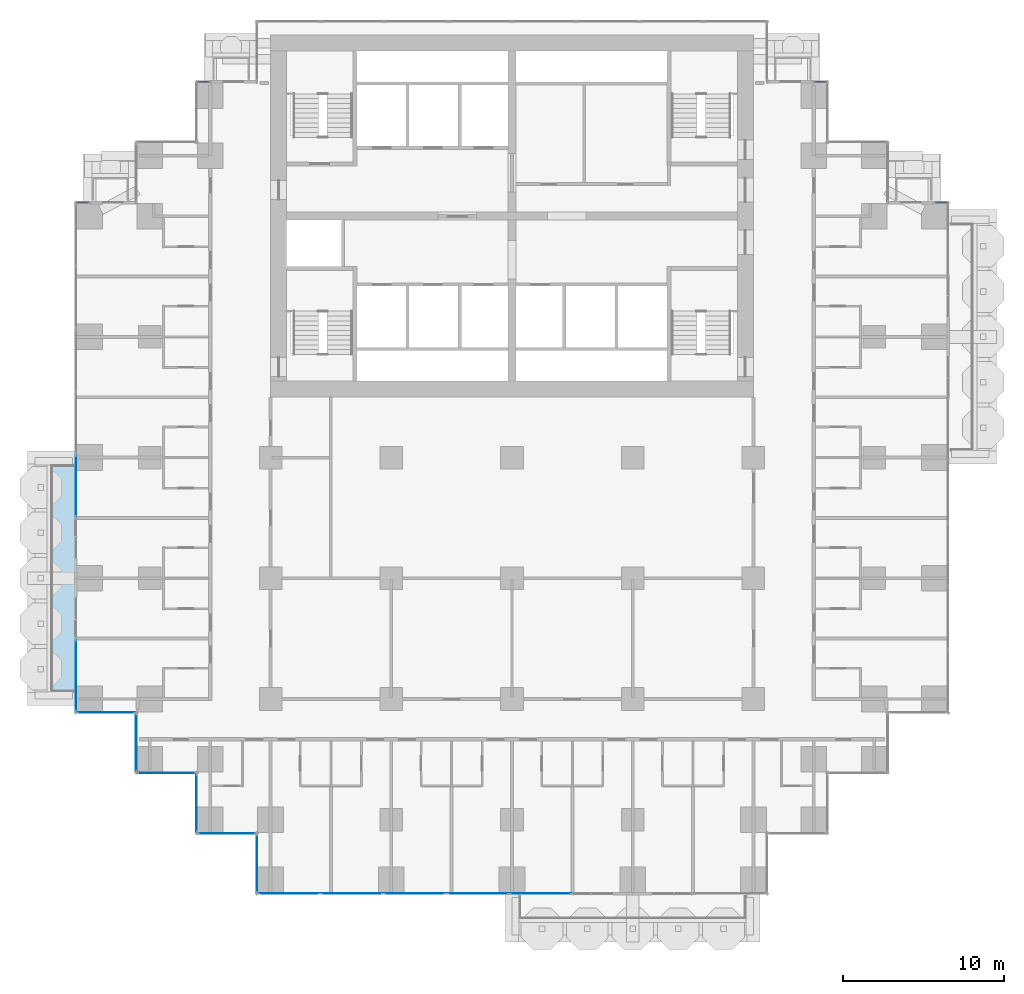
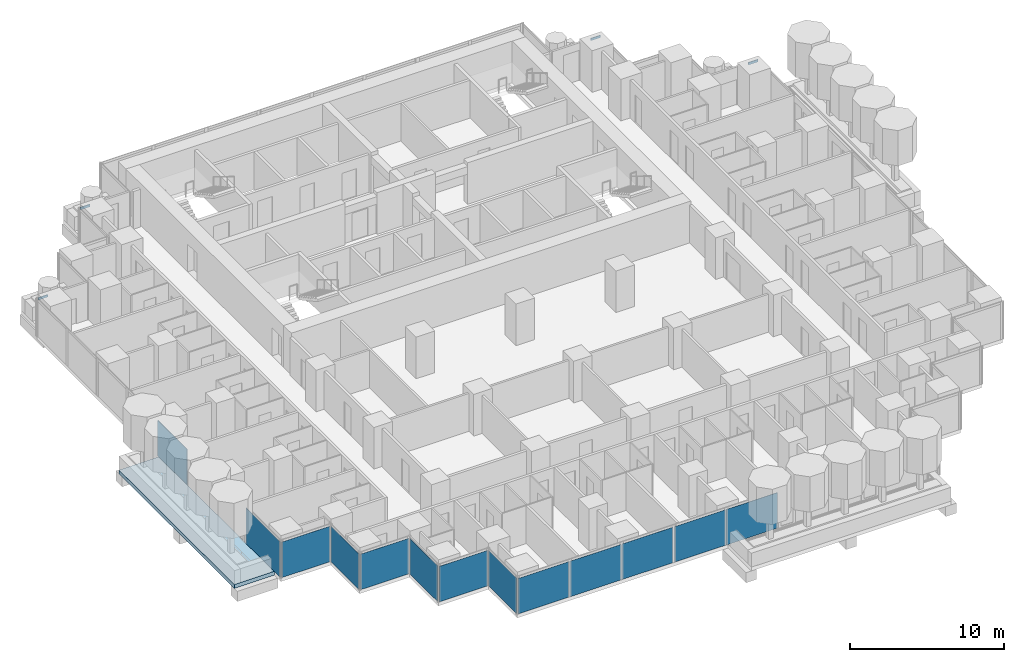
# One storey, part 6 of 19: 13 plates, 4 members, 1 slab, 14 elements without a shape of their own.
"""IFC4 building model written with IfcOpenShell, lengths in metres."""

from ifc_helpers import new_model, si_unit, direction, frame, origin, origin_2d, place, context, subcontext, project, spatial, polyline, rectangle, outline, extrude, material, layer, layer_set, material_profile, profile_set, type_object, element, aggregate, save


model = new_model("IFC4")

# Units and contexts
model_context = context("Model", 3, precision=1e-05, world=origin(), true_north=direction((0.0, 1.0)))
body_context = subcontext(model_context, "Body", "Model", "MODEL_VIEW")
ifc_project = project(units=[si_unit("LENGTHUNIT", "METRE"), si_unit("AREAUNIT", "SQUARE_METRE"), si_unit("VOLUMEUNIT", "CUBIC_METRE"), si_unit("PLANEANGLEUNIT", "RADIAN"), si_unit("MASSUNIT", "GRAM", prefix="KILO")], contexts=[model_context])

# Site, building, storey
site_placement = place(None, origin())
site = spatial("IfcSite", under=ifc_project, at=site_placement, CompositionType="ELEMENT")
building_placement = place(site_placement, origin())
building = spatial("IfcBuilding", under=site, at=building_placement, Name="Pilkhan Gate Tower", CompositionType="ELEMENT")
storey_placement = place(building_placement, frame((0.0, 0.0, 46.10009765625)))
storey = spatial("IfcBuildingStorey", under=building, at=storey_placement, Name="L08", CompositionType="ELEMENT", Elevation=46.10009765625)

# Curtain wall, member
ifc_material_1 = material(Name="Pale anodised aluminium, clear low-iron double glazing", Category="aluminium")
curtain_wall_type = type_object("IfcCurtainWallType", Name="Hotel unitised curtain wall CW-H", PredefinedType="USERDEFINED", material=ifc_material_1)
curtain_wall_1_placement = place(storey_placement, origin())
curtain_wall_1 = element("IfcCurtainWall", 1, at=curtain_wall_1_placement, inside=storey, type_object=curtain_wall_type, Name="Hotel unitised curtain wall CW-H L08 N", ObjectType="UNITISED CURTAIN WALL", PredefinedType="USERDEFINED")
ifc_material_2 = material(Name="Pale anodised aluminium", Category="aluminium")
ifc_material_profile = material_profile(ifc_material_2, rectangle(XDim=0.06494140625, YDim=0.179931640625, at=origin_2d()), Name="Transom 180x65")
ifc_profile_set = profile_set([ifc_material_profile], Name="Pale anodised aluminium")
member_type = type_object("IfcMemberType", Name="Transom CW-H 180x65", PredefinedType="USERDEFINED", material=ifc_profile_set)
member_1_placement = place(storey_placement, frame((101.31494140625, 83.344970703125, 2.909912109375), z_axis=(1.0, 0.0, 0.0), x_axis=(0.0, 1.0, 0.0)))
member_1 = element("IfcMember", 2, at=member_1_placement, type_object=member_type, Name="CW-H transom 1", ObjectType="TRANSOM", PredefinedType="USERDEFINED", context=body_context, shape_type="SweptSolid", body=[
    extrude(rectangle(XDim=0.06494140625, YDim=0.179931640625, at=origin_2d()), origin(), (0.0, 0.0, 1.0), 0.715087890625),
])
aggregate(curtain_wall_1, [member_1])

curtain_wall_2_placement = place(storey_placement, origin())
curtain_wall_2 = element("IfcCurtainWall", 3, at=curtain_wall_2_placement, inside=storey, type_object=curtain_wall_type, Name="Hotel unitised curtain wall CW-H L08 N", ObjectType="UNITISED CURTAIN WALL", PredefinedType="USERDEFINED")
member_2_placement = place(storey_placement, frame((93.81494140625, 90.844970703125, 2.909912109375), z_axis=(1.0, 0.0, 0.0), x_axis=(0.0, 1.0, 0.0)))
member_2 = element("IfcMember", 4, at=member_2_placement, type_object=member_type, Name="CW-H transom 1", ObjectType="TRANSOM", PredefinedType="USERDEFINED", context=body_context, shape_type="SweptSolid", body=[
    extrude(rectangle(XDim=0.06494140625, YDim=0.179931640625, at=origin_2d()), origin(), (0.0, 0.0, 1.0), 0.715087890625),
])
aggregate(curtain_wall_2, [member_2])

curtain_wall_3_placement = place(storey_placement, origin())
curtain_wall_3 = element("IfcCurtainWall", 5, at=curtain_wall_3_placement, inside=storey, type_object=curtain_wall_type, Name="Hotel unitised curtain wall CW-H L08 N", ObjectType="UNITISED CURTAIN WALL", PredefinedType="USERDEFINED")
member_3_placement = place(storey_placement, frame((55.469970703125, 90.844970703125, 2.909912109375), z_axis=(1.0, 0.0, 0.0), x_axis=(0.0, 1.0, 0.0)))
member_3 = element("IfcMember", 6, at=member_3_placement, type_object=member_type, Name="CW-H transom 1", ObjectType="TRANSOM", PredefinedType="USERDEFINED", context=body_context, shape_type="SweptSolid", body=[
    extrude(rectangle(XDim=0.06494140625, YDim=0.179931640625, at=origin_2d()), origin(), (0.0, 0.0, 1.0), 0.715087890625),
])
aggregate(curtain_wall_3, [member_3])

curtain_wall_4_placement = place(storey_placement, origin())
curtain_wall_4 = element("IfcCurtainWall", 7, at=curtain_wall_4_placement, inside=storey, type_object=curtain_wall_type, Name="Hotel unitised curtain wall CW-H L08 N", ObjectType="UNITISED CURTAIN WALL", PredefinedType="USERDEFINED")
member_4_placement = place(storey_placement, frame((47.969970703125, 83.344970703125, 2.909912109375), z_axis=(1.0, 0.0, 0.0), x_axis=(0.0, 1.0, 0.0)))
member_4 = element("IfcMember", 8, at=member_4_placement, type_object=member_type, Name="CW-H transom 1", ObjectType="TRANSOM", PredefinedType="USERDEFINED", context=body_context, shape_type="SweptSolid", body=[
    extrude(rectangle(XDim=0.06494140625, YDim=0.179931640625, at=origin_2d()), origin(), (0.0, 0.0, 1.0), 0.715087890625),
])
aggregate(curtain_wall_4, [member_4])

# Slab
ifc_material_3 = material(Name="Concrete C60/75", Category="concrete")
ifc_layer_1 = layer(ifc_material_3, 0.300048828125)
ifc_layer_set_1 = layer_set([ifc_layer_1], Name="Balcony tray slab TR300")
slab_type = type_object("IfcSlabType", Name="Balcony tray slab TR300", PredefinedType="FLOOR", material=ifc_layer_set_1)
slab_placement = place(storey_placement, frame((0.0, 0.0, -0.300048828125)))
element("IfcSlab", 9, at=slab_placement, inside=storey, type_object=slab_type, Name="Balcony tray L08 W", PredefinedType="FLOOR", context=body_context, shape_type="SweptSolid", body=[
    extrude(outline(polyline([(47.89990234375, 52.5), (47.89990234375, 67.5), (44.89990234375, 67.5), (44.89990234375, 52.5), (47.89990234375, 52.5)])), origin(), (0.0, 0.0, 1.0), 0.300048828125),
])

# Curtain wall, plate
curtain_wall_5_placement = place(storey_placement, origin())
curtain_wall_5 = element("IfcCurtainWall", 10, at=curtain_wall_5_placement, inside=storey, type_object=curtain_wall_type, Name="Hotel unitised curtain wall CW-H L08 W", ObjectType="UNITISED CURTAIN WALL", PredefinedType="USERDEFINED")
ifc_material_4 = material(Name="Clear low-iron double glazing", Category="glass")
ifc_layer_2 = layer(ifc_material_4, 0.035888671875)
ifc_layer_set_2 = layer_set([ifc_layer_2], Name="Glass panel CW-H 36")
plate_type = type_object("IfcPlateType", Name="Glass panel CW-H 36", PredefinedType="CURTAIN_PANEL", material=ifc_layer_set_2)
plate_1_placement = place(storey_placement, frame((47.905029296875, 53.952392578125, 0.0), z_axis=(0.0, 0.0, 1.0), x_axis=(0.0, 1.0, 0.0)))
plate_1 = element("IfcPlate", 11, at=plate_1_placement, type_object=plate_type, Name="CW-H panel 1", PredefinedType="CURTAIN_PANEL", context=body_context, shape_type="SweptSolid", body=[
    extrude(rectangle(XDim=4.465087890625, YDim=0.035888671875, at=origin_2d()), origin(), (0.0, 0.0, 1.0), 2.820068359375),
])
aggregate(curtain_wall_5, [plate_1])

curtain_wall_6_placement = place(storey_placement, origin())
curtain_wall_6 = element("IfcCurtainWall", 12, at=curtain_wall_6_placement, inside=storey, type_object=curtain_wall_type, Name="Hotel unitised curtain wall CW-H L08 W", ObjectType="UNITISED CURTAIN WALL", PredefinedType="USERDEFINED")
plate_2_placement = place(storey_placement, frame((47.905029296875, 65.725830078125, 0.0), z_axis=(0.0, 0.0, 1.0), x_axis=(0.0, 1.0, 0.0)))
plate_2 = element("IfcPlate", 13, at=plate_2_placement, type_object=plate_type, Name="CW-H panel 1", PredefinedType="CURTAIN_PANEL", context=body_context, shape_type="SweptSolid", body=[
    extrude(rectangle(XDim=3.821533203125, YDim=0.035888671875, at=origin_2d()), origin(), (0.0, 0.0, 1.0), 2.820068359375),
])
aggregate(curtain_wall_6, [plate_2])

curtain_wall_7_placement = place(storey_placement, origin())
curtain_wall_7 = element("IfcCurtainWall", 14, at=curtain_wall_7_placement, inside=storey, type_object=curtain_wall_type, Name="Hotel unitised curtain wall CW-H L08 S", ObjectType="UNITISED CURTAIN WALL", PredefinedType="USERDEFINED")
plate_3_placement = place(storey_placement, frame((49.780029296875, 51.655029296875, 0.0), z_axis=(0.0, 0.0, 1.0), x_axis=(1.0, 0.0, 0.0)))
plate_3 = element("IfcPlate", 15, at=plate_3_placement, type_object=plate_type, Name="CW-H panel 1", PredefinedType="CURTAIN_PANEL", context=body_context, shape_type="SweptSolid", body=[
    extrude(rectangle(XDim=3.6201171875, YDim=0.035888671875, at=origin_2d()), origin(), (0.0, 0.0, 1.0), 2.820068359375),
])
aggregate(curtain_wall_7, [plate_3])

curtain_wall_8_placement = place(storey_placement, origin())
curtain_wall_8 = element("IfcCurtainWall", 16, at=curtain_wall_8_placement, inside=storey, type_object=curtain_wall_type, Name="Hotel unitised curtain wall CW-H L08 W", ObjectType="UNITISED CURTAIN WALL", PredefinedType="USERDEFINED")
plate_4_placement = place(storey_placement, frame((51.655029296875, 49.780029296875, 0.0), z_axis=(0.0, 0.0, 1.0), x_axis=(0.0, 1.0, 0.0)))
plate_4 = element("IfcPlate", 17, at=plate_4_placement, type_object=plate_type, Name="CW-H panel 1", PredefinedType="CURTAIN_PANEL", context=body_context, shape_type="SweptSolid", body=[
    extrude(rectangle(XDim=3.6201171875, YDim=0.035888671875, at=origin_2d()), origin(), (0.0, 0.0, 1.0), 2.820068359375),
])
aggregate(curtain_wall_8, [plate_4])

curtain_wall_9_placement = place(storey_placement, origin())
curtain_wall_9 = element("IfcCurtainWall", 18, at=curtain_wall_9_placement, inside=storey, type_object=curtain_wall_type, Name="Hotel unitised curtain wall CW-H L08 S", ObjectType="UNITISED CURTAIN WALL", PredefinedType="USERDEFINED")
plate_5_placement = place(storey_placement, frame((53.530029296875, 47.905029296875, 0.0), z_axis=(0.0, 0.0, 1.0), x_axis=(1.0, 0.0, 0.0)))
plate_5 = element("IfcPlate", 19, at=plate_5_placement, type_object=plate_type, Name="CW-H panel 1", PredefinedType="CURTAIN_PANEL", context=body_context, shape_type="SweptSolid", body=[
    extrude(rectangle(XDim=3.6201171875, YDim=0.035888671875, at=origin_2d()), origin(), (0.0, 0.0, 1.0), 2.820068359375),
])
aggregate(curtain_wall_9, [plate_5])

curtain_wall_10_placement = place(storey_placement, origin())
curtain_wall_10 = element("IfcCurtainWall", 20, at=curtain_wall_10_placement, inside=storey, type_object=curtain_wall_type, Name="Hotel unitised curtain wall CW-H L08 W", ObjectType="UNITISED CURTAIN WALL", PredefinedType="USERDEFINED")
plate_6_placement = place(storey_placement, frame((55.405029296875, 46.030029296875, 0.0), z_axis=(0.0, 0.0, 1.0), x_axis=(0.0, 1.0, 0.0)))
plate_6 = element("IfcPlate", 21, at=plate_6_placement, type_object=plate_type, Name="CW-H panel 1", PredefinedType="CURTAIN_PANEL", context=body_context, shape_type="SweptSolid", body=[
    extrude(rectangle(XDim=3.6201171875, YDim=0.035888671875, at=origin_2d()), origin(), (0.0, 0.0, 1.0), 2.820068359375),
])
aggregate(curtain_wall_10, [plate_6])

curtain_wall_11_placement = place(storey_placement, origin())
curtain_wall_11 = element("IfcCurtainWall", 22, at=curtain_wall_11_placement, inside=storey, type_object=curtain_wall_type, Name="Hotel unitised curtain wall CW-H L08 S", ObjectType="UNITISED CURTAIN WALL", PredefinedType="USERDEFINED")
plate_7_placement = place(storey_placement, frame((57.280029296875, 44.155029296875, 0.0), z_axis=(0.0, 0.0, 1.0), x_axis=(1.0, 0.0, 0.0)))
plate_7 = element("IfcPlate", 23, at=plate_7_placement, type_object=plate_type, Name="CW-H panel 1", PredefinedType="CURTAIN_PANEL", context=body_context, shape_type="SweptSolid", body=[
    extrude(rectangle(XDim=3.6201171875, YDim=0.035888671875, at=origin_2d()), origin(), (0.0, 0.0, 1.0), 2.820068359375),
])
aggregate(curtain_wall_11, [plate_7])

curtain_wall_12_placement = place(storey_placement, origin())
curtain_wall_12 = element("IfcCurtainWall", 24, at=curtain_wall_12_placement, inside=storey, type_object=curtain_wall_type, Name="Hotel unitised curtain wall CW-H L08 W", ObjectType="UNITISED CURTAIN WALL", PredefinedType="USERDEFINED")
plate_8_placement = place(storey_placement, frame((59.155029296875, 42.280029296875, 0.0), z_axis=(0.0, 0.0, 1.0), x_axis=(0.0, 1.0, 0.0)))
plate_8 = element("IfcPlate", 25, at=plate_8_placement, type_object=plate_type, Name="CW-H panel 1", PredefinedType="CURTAIN_PANEL", context=body_context, shape_type="SweptSolid", body=[
    extrude(rectangle(XDim=3.6201171875, YDim=0.035888671875, at=origin_2d()), origin(), (0.0, 0.0, 1.0), 2.820068359375),
])
aggregate(curtain_wall_12, [plate_8])

# Curtain wall, plates
curtain_wall_13_placement = place(storey_placement, origin())
curtain_wall_13 = element("IfcCurtainWall", 26, at=curtain_wall_13_placement, inside=storey, type_object=curtain_wall_type, Name="Hotel unitised curtain wall CW-H L08 S", ObjectType="UNITISED CURTAIN WALL", PredefinedType="USERDEFINED")
plate_9_placement = place(storey_placement, frame((61.130859375, 40.405029296875, 0.0), z_axis=(0.0, 0.0, 1.0), x_axis=(1.0, 0.0, 0.0)))
plate_9 = element("IfcPlate", 27, at=plate_9_placement, type_object=plate_type, Name="CW-H panel 1", PredefinedType="CURTAIN_PANEL", context=body_context, shape_type="SweptSolid", body=[
    extrude(rectangle(XDim=3.821533203125, YDim=0.035888671875, at=origin_2d()), origin(), (0.0, 0.0, 1.0), 2.820068359375),
])
plate_10_placement = place(storey_placement, frame((65.033447265625, 40.405029296875, 0.0), z_axis=(0.0, 0.0, 1.0), x_axis=(1.0, 0.0, 0.0)))
plate_10 = element("IfcPlate", 28, at=plate_10_placement, type_object=plate_type, Name="CW-H panel 2", PredefinedType="CURTAIN_PANEL", context=body_context, shape_type="SweptSolid", body=[
    extrude(rectangle(XDim=3.85400390625, YDim=0.035888671875, at=origin_2d()), origin(), (0.0, 0.0, 1.0), 2.820068359375),
])
plate_11_placement = place(storey_placement, frame((68.936279296875, 40.405029296875, 0.0), z_axis=(0.0, 0.0, 1.0), x_axis=(1.0, 0.0, 0.0)))
plate_11 = element("IfcPlate", 29, at=plate_11_placement, type_object=plate_type, Name="CW-H panel 3", PredefinedType="CURTAIN_PANEL", context=body_context, shape_type="SweptSolid", body=[
    extrude(rectangle(XDim=3.821533203125, YDim=0.035888671875, at=origin_2d()), origin(), (0.0, 0.0, 1.0), 2.820068359375),
])
aggregate(curtain_wall_13, [plate_9, plate_10, plate_11])

curtain_wall_14_placement = place(storey_placement, origin())
curtain_wall_14 = element("IfcCurtainWall", 30, at=curtain_wall_14_placement, inside=storey, type_object=curtain_wall_type, Name="Hotel unitised curtain wall CW-H L08 S", ObjectType="UNITISED CURTAIN WALL", PredefinedType="USERDEFINED")
plate_12_placement = place(storey_placement, frame((72.8876953125, 40.405029296875, 0.0), z_axis=(0.0, 0.0, 1.0), x_axis=(1.0, 0.0, 0.0)))
plate_12 = element("IfcPlate", 31, at=plate_12_placement, type_object=plate_type, Name="CW-H panel 1", PredefinedType="CURTAIN_PANEL", context=body_context, shape_type="SweptSolid", body=[
    extrude(rectangle(XDim=3.821533203125, YDim=0.035888671875, at=origin_2d()), origin(), (0.0, 0.0, 1.0), 2.820068359375),
])
plate_13_placement = place(storey_placement, frame((76.774169921875, 40.405029296875, 0.0), z_axis=(0.0, 0.0, 1.0), x_axis=(1.0, 0.0, 0.0)))
plate_13 = element("IfcPlate", 32, at=plate_13_placement, type_object=plate_type, Name="CW-H panel 2", PredefinedType="CURTAIN_PANEL", context=body_context, shape_type="SweptSolid", body=[
    extrude(rectangle(XDim=3.821533203125, YDim=0.035888671875, at=origin_2d()), origin(), (0.0, 0.0, 1.0), 2.820068359375),
])
aggregate(curtain_wall_14, [plate_12, plate_13])

save(model, "model.ifc")
